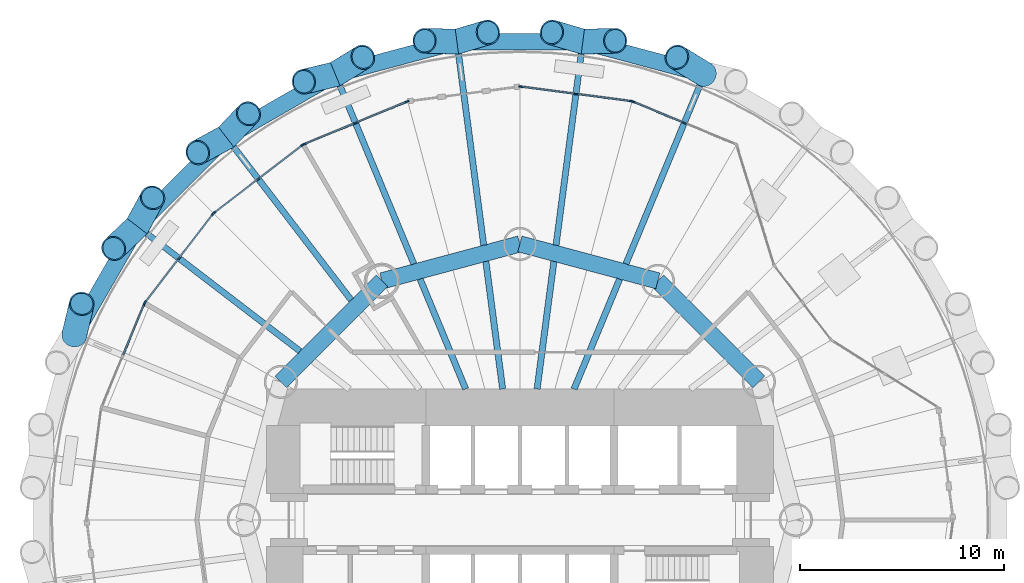
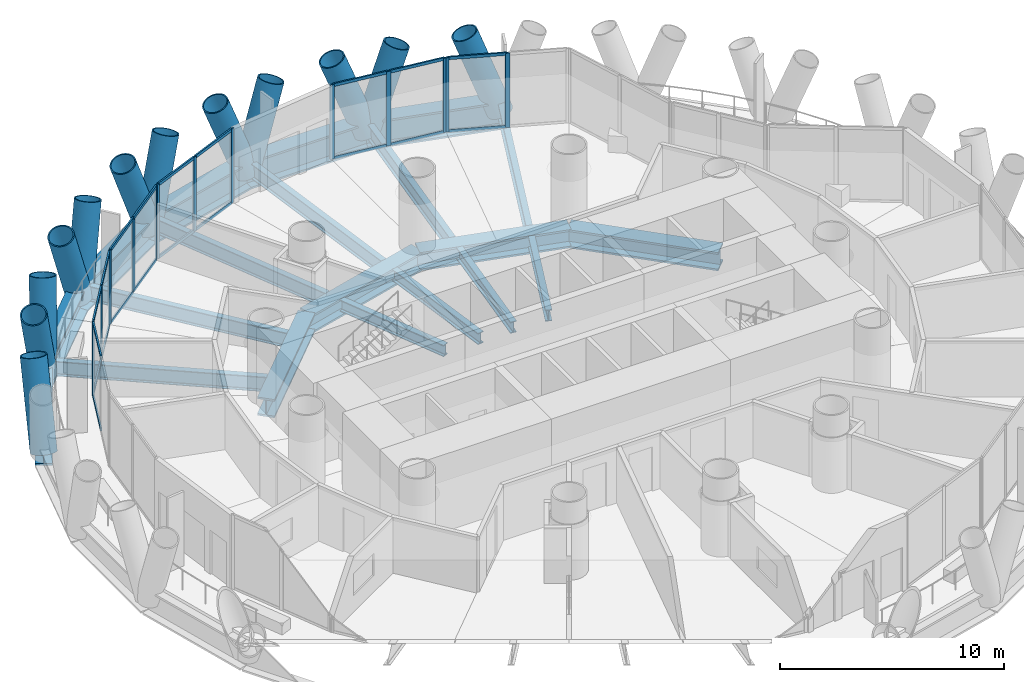
# One storey, part 5 of 15: 47 members, 20 beams, 6 elements without a shape of their own.
"""IFC4 building model written with IfcOpenShell, lengths in metres."""

from ifc_helpers import new_model, si_unit, direction, frame, origin, origin_2d, place, context, subcontext, project, spatial, rectangle, hollow_circle, i_section, extrude, material, material_profile, profile_set, type_object, element, aggregate, save


model = new_model("IFC4")

# Units and contexts
model_context = context("Model", 3, precision=1e-05, world=origin(), true_north=direction((0.0, 1.0)))
body_context = subcontext(model_context, "Body", "Model", "MODEL_VIEW")
ifc_project = project(units=[si_unit("LENGTHUNIT", "METRE"), si_unit("AREAUNIT", "SQUARE_METRE"), si_unit("VOLUMEUNIT", "CUBIC_METRE"), si_unit("PLANEANGLEUNIT", "RADIAN"), si_unit("MASSUNIT", "GRAM", prefix="KILO")], contexts=[model_context])

# Site, building, storey
site_placement = place(None, origin())
site = spatial("IfcSite", under=ifc_project, at=site_placement, CompositionType="ELEMENT")
building_placement = place(site_placement, origin())
building = spatial("IfcBuilding", under=site, at=building_placement, Name="Qaws Media Tower", CompositionType="ELEMENT")
storey_placement = place(building_placement, frame((0.0, 0.0, 34.39990234375)))
storey = spatial("IfcBuildingStorey", under=building, at=storey_placement, Name="L06", CompositionType="ELEMENT", Elevation=34.39990234375)

# Curtain wall, members
ifc_material_1 = material(Name="Aluminium and clear glass", Category="aluminium")
curtain_wall_type = type_object("IfcCurtainWallType", Name="Unitised curtain wall CW-A", PredefinedType="NOTDEFINED", material=ifc_material_1)
curtain_wall_1_placement = place(storey_placement, origin())
curtain_wall_1 = element("IfcCurtainWall", 1, at=curtain_wall_1_placement, inside=storey, type_object=curtain_wall_type, Name="CWA curtain wall L06-05", PredefinedType="NOTDEFINED")
ifc_material_2 = material(Name="Aluminium mullion", Category="aluminium")
ifc_material_profile_1 = material_profile(ifc_material_2, rectangle(XDim=0.080078125, YDim=0.199951171875, at=origin_2d()), Name="80x200")
ifc_profile_set_1 = profile_set([ifc_material_profile_1], Name="Aluminium mullion")
member_type_1 = type_object("IfcMemberType", Name="Curtain wall mullion 80x200", PredefinedType="MULLION", material=ifc_profile_set_1)
member_1_placement = place(storey_placement, frame((68.04345703125, 69.418701171875, 0.0), z_axis=(0.0, 0.0, 1.0), x_axis=(-0.382683454553, -0.923879523321, 0.0)))
member_1 = element("IfcMember", 2, at=member_1_placement, type_object=member_type_1, Name="CWA mullion 2", PredefinedType="MULLION", context=body_context, shape_type="SweptSolid", body=[
    extrude(rectangle(XDim=0.080078125, YDim=0.199951171875, at=origin_2d()), origin(), (0.0, 0.0, 1.0), 4.0400390625),
])
member_2_placement = place(storey_placement, frame((65.52392578125, 70.46240234375, 0.0), z_axis=(0.0, 0.0, 1.0), x_axis=(-0.382683454553, -0.923879523321, 0.0)))
member_2 = element("IfcMember", 3, at=member_2_placement, type_object=member_type_1, Name="CWA mullion 3", PredefinedType="MULLION", context=body_context, shape_type="SweptSolid", body=[
    extrude(rectangle(XDim=0.080078125, YDim=0.199951171875, at=origin_2d()), origin(), (0.0, 0.0, 1.0), 4.0400390625),
])

curtain_wall_2_placement = place(storey_placement, origin())
curtain_wall_2 = element("IfcCurtainWall", 4, at=curtain_wall_2_placement, inside=storey, type_object=curtain_wall_type, Name="CWA curtain wall L06-06", PredefinedType="NOTDEFINED")
member_3_placement = place(storey_placement, frame((65.447265625, 70.48291015625, 0.0), z_axis=(0.0, 0.0, 1.0), x_axis=(-0.130526100786, -0.991444873411, 0.0)))
member_3 = element("IfcMember", 5, at=member_3_placement, type_object=member_type_1, Name="CWA mullion 1", PredefinedType="MULLION", context=body_context, shape_type="SweptSolid", body=[
    extrude(rectangle(XDim=0.080078125, YDim=0.199951171875, at=origin_2d()), origin(), (0.0, 0.0, 1.0), 4.0400390625),
])
member_4_placement = place(storey_placement, frame((62.743408203125, 70.8388671875, 0.0), z_axis=(0.0, 0.0, 1.0), x_axis=(-0.130526100786, -0.991444873411, 0.0)))
member_4 = element("IfcMember", 6, at=member_4_placement, type_object=member_type_1, Name="CWA mullion 2", PredefinedType="MULLION", context=body_context, shape_type="SweptSolid", body=[
    extrude(rectangle(XDim=0.080078125, YDim=0.199951171875, at=origin_2d()), origin(), (0.0, 0.0, 1.0), 4.0400390625),
])
member_5_placement = place(storey_placement, frame((60.03955078125, 71.19482421875, 0.0), z_axis=(0.0, 0.0, 1.0), x_axis=(-0.130526100786, -0.991444873411, 0.0)))
member_5 = element("IfcMember", 7, at=member_5_placement, type_object=member_type_1, Name="CWA mullion 3", PredefinedType="MULLION", context=body_context, shape_type="SweptSolid", body=[
    extrude(rectangle(XDim=0.080078125, YDim=0.199951171875, at=origin_2d()), origin(), (0.0, 0.0, 1.0), 4.0400390625),
])

curtain_wall_3_placement = place(storey_placement, origin())
curtain_wall_3 = element("IfcCurtainWall", 8, at=curtain_wall_3_placement, inside=storey, type_object=curtain_wall_type, Name="CWA curtain wall L06-08", PredefinedType="NOTDEFINED")
member_6_placement = place(storey_placement, frame((54.47607421875, 70.46240234375, 0.0), z_axis=(0.0, 0.0, 1.0), x_axis=(0.382683454553, -0.923879523321, 0.0)))
member_6 = element("IfcMember", 9, at=member_6_placement, type_object=member_type_1, Name="CWA mullion 1", PredefinedType="MULLION", context=body_context, shape_type="SweptSolid", body=[
    extrude(rectangle(XDim=0.080078125, YDim=0.199951171875, at=origin_2d()), origin(), (0.0, 0.0, 1.0), 4.0400390625),
])
member_7_placement = place(storey_placement, frame((51.95654296875, 69.418701171875, 0.0), z_axis=(0.0, 0.0, 1.0), x_axis=(0.382683454553, -0.923879523321, 0.0)))
member_7 = element("IfcMember", 10, at=member_7_placement, type_object=member_type_1, Name="CWA mullion 2", PredefinedType="MULLION", context=body_context, shape_type="SweptSolid", body=[
    extrude(rectangle(XDim=0.080078125, YDim=0.199951171875, at=origin_2d()), origin(), (0.0, 0.0, 1.0), 4.0400390625),
])
member_8_placement = place(storey_placement, frame((49.43701171875, 68.375, 0.0), z_axis=(0.0, 0.0, 1.0), x_axis=(0.382683454553, -0.923879523321, 0.0)))
member_8 = element("IfcMember", 11, at=member_8_placement, type_object=member_type_1, Name="CWA mullion 3", PredefinedType="MULLION", context=body_context, shape_type="SweptSolid", body=[
    extrude(rectangle(XDim=0.080078125, YDim=0.199951171875, at=origin_2d()), origin(), (0.0, 0.0, 1.0), 4.0400390625),
])

curtain_wall_4_placement = place(storey_placement, origin())
curtain_wall_4 = element("IfcCurtainWall", 12, at=curtain_wall_4_placement, inside=storey, type_object=curtain_wall_type, Name="CWA curtain wall L06-09", PredefinedType="NOTDEFINED")
member_9_placement = place(storey_placement, frame((49.3681640625, 68.33544921875, 0.0), z_axis=(0.0, 0.0, 1.0), x_axis=(0.608761431016, -0.793353338751, 0.0)))
member_9 = element("IfcMember", 13, at=member_9_placement, type_object=member_type_1, Name="CWA mullion 1", PredefinedType="MULLION", context=body_context, shape_type="SweptSolid", body=[
    extrude(rectangle(XDim=0.080078125, YDim=0.199951171875, at=origin_2d()), origin(), (0.0, 0.0, 1.0), 4.0400390625),
])
member_10_placement = place(storey_placement, frame((47.20458984375, 66.67529296875, 0.0), z_axis=(0.0, 0.0, 1.0), x_axis=(0.608761431016, -0.793353338751, 0.0)))
member_10 = element("IfcMember", 14, at=member_10_placement, type_object=member_type_1, Name="CWA mullion 2", PredefinedType="MULLION", context=body_context, shape_type="SweptSolid", body=[
    extrude(rectangle(XDim=0.080078125, YDim=0.199951171875, at=origin_2d()), origin(), (0.0, 0.0, 1.0), 4.0400390625),
])
member_11_placement = place(storey_placement, frame((45.041015625, 65.014892578125, 0.0), z_axis=(0.0, 0.0, 1.0), x_axis=(0.608761431016, -0.793353338751, 0.0)))
member_11 = element("IfcMember", 15, at=member_11_placement, type_object=member_type_1, Name="CWA mullion 3", PredefinedType="MULLION", context=body_context, shape_type="SweptSolid", body=[
    extrude(rectangle(XDim=0.080078125, YDim=0.199951171875, at=origin_2d()), origin(), (0.0, 0.0, 1.0), 4.0400390625),
])

curtain_wall_5_placement = place(storey_placement, origin())
curtain_wall_5 = element("IfcCurtainWall", 16, at=curtain_wall_5_placement, inside=storey, type_object=curtain_wall_type, Name="CWA curtain wall L06-10", PredefinedType="NOTDEFINED")
member_12_placement = place(storey_placement, frame((44.985107421875, 64.958984375, 0.0), z_axis=(0.0, 0.0, 1.0), x_axis=(0.793353338751, -0.608761431016, 0.0)))
member_12 = element("IfcMember", 17, at=member_12_placement, type_object=member_type_1, Name="CWA mullion 1", PredefinedType="MULLION", context=body_context, shape_type="SweptSolid", body=[
    extrude(rectangle(XDim=0.080078125, YDim=0.199951171875, at=origin_2d()), origin(), (0.0, 0.0, 1.0), 4.0400390625),
])
member_13_placement = place(storey_placement, frame((43.32470703125, 62.79541015625, 0.0), z_axis=(0.0, 0.0, 1.0), x_axis=(0.793353338751, -0.608761431016, 0.0)))
member_13 = element("IfcMember", 18, at=member_13_placement, type_object=member_type_1, Name="CWA mullion 2", PredefinedType="MULLION", context=body_context, shape_type="SweptSolid", body=[
    extrude(rectangle(XDim=0.080078125, YDim=0.199951171875, at=origin_2d()), origin(), (0.0, 0.0, 1.0), 4.0400390625),
])
member_14_placement = place(storey_placement, frame((41.66455078125, 60.6318359375, 0.0), z_axis=(0.0, 0.0, 1.0), x_axis=(0.793353338751, -0.608761431016, 0.0)))
member_14 = element("IfcMember", 19, at=member_14_placement, type_object=member_type_1, Name="CWA mullion 3", PredefinedType="MULLION", context=body_context, shape_type="SweptSolid", body=[
    extrude(rectangle(XDim=0.080078125, YDim=0.199951171875, at=origin_2d()), origin(), (0.0, 0.0, 1.0), 4.0400390625),
])

# Curtain wall, member
curtain_wall_6_placement = place(storey_placement, origin())
curtain_wall_6 = element("IfcCurtainWall", 20, at=curtain_wall_6_placement, inside=storey, type_object=curtain_wall_type, Name="CWA curtain wall L06-11", PredefinedType="NOTDEFINED")
member_15_placement = place(storey_placement, frame((41.625, 60.56298828125, 0.0), z_axis=(0.0, 0.0, 1.0), x_axis=(0.923879523321, -0.382683454553, 0.0)))
member_15 = element("IfcMember", 21, at=member_15_placement, type_object=member_type_1, Name="CWA mullion 1", PredefinedType="MULLION", context=body_context, shape_type="SweptSolid", body=[
    extrude(rectangle(XDim=0.080078125, YDim=0.199951171875, at=origin_2d()), origin(), (0.0, 0.0, 1.0), 4.0400390625),
])

# Member
ifc_material_3 = material(Name="Aluminium transom", Category="aluminium")
ifc_material_profile_2 = material_profile(ifc_material_3, rectangle(XDim=0.080078125, YDim=0.159912109375, at=origin_2d()), Name="80x160")
ifc_profile_set_2 = profile_set([ifc_material_profile_2], Name="Aluminium transom")
member_type_2 = type_object("IfcMemberType", Name="Curtain wall transom 80x160", PredefinedType="USERDEFINED", material=ifc_profile_set_2)
member_16_placement = place(storey_placement, frame((68.006591796875, 69.43408203125, 0.0400390625), z_axis=(-0.923898816777, 0.38263687271, 0.0), x_axis=(-0.38263687271, -0.923898816777, 0.0)))
member_16 = element("IfcMember", 22, at=member_16_placement, type_object=member_type_2, Name="CWA transom 2.1", ObjectType="TRANSOM", PredefinedType="USERDEFINED", context=body_context, shape_type="SweptSolid", body=[
    extrude(rectangle(XDim=0.080078125, YDim=0.159912109375, at=origin_2d()), origin(), (0.0, 0.0, 1.0), 2.647216796875),
])

member_17_placement = place(storey_placement, frame((68.006591796875, 69.43408203125, 4.0), z_axis=(-0.923898816777, 0.38263687271, 0.0), x_axis=(-0.38263687271, -0.923898816777, 0.0)))
member_17 = element("IfcMember", 23, at=member_17_placement, type_object=member_type_2, Name="CWA transom 2.2", ObjectType="TRANSOM", PredefinedType="USERDEFINED", context=body_context, shape_type="SweptSolid", body=[
    extrude(rectangle(XDim=0.080078125, YDim=0.159912109375, at=origin_2d()), origin(), (0.0, 0.0, 1.0), 2.647216796875),
])

aggregate(curtain_wall_1, [member_1, member_2, member_16, member_17])

member_18_placement = place(storey_placement, frame((65.40771484375, 70.488037109375, 0.0400390625), z_axis=(-0.991448016129, 0.130502227239, 0.0), x_axis=(-0.130502227239, -0.991448016129, 0.0)))
member_18 = element("IfcMember", 24, at=member_18_placement, type_object=member_type_2, Name="CWA transom 1.1", ObjectType="TRANSOM", PredefinedType="USERDEFINED", context=body_context, shape_type="SweptSolid", body=[
    extrude(rectangle(XDim=0.080078125, YDim=0.159912109375, at=origin_2d()), origin(), (0.0, 0.0, 1.0), 2.647216796875),
])

member_19_placement = place(storey_placement, frame((65.40771484375, 70.488037109375, 4.0), z_axis=(-0.991448016129, 0.130502227239, 0.0), x_axis=(-0.130502227239, -0.991448016129, 0.0)))
member_19 = element("IfcMember", 25, at=member_19_placement, type_object=member_type_2, Name="CWA transom 1.2", ObjectType="TRANSOM", PredefinedType="USERDEFINED", context=body_context, shape_type="SweptSolid", body=[
    extrude(rectangle(XDim=0.080078125, YDim=0.159912109375, at=origin_2d()), origin(), (0.0, 0.0, 1.0), 2.647216796875),
])

member_20_placement = place(storey_placement, frame((62.703857421875, 70.843994140625, 0.0400390625), z_axis=(-0.991448016129, 0.130502227239, 0.0), x_axis=(-0.130502227239, -0.991448016129, 0.0)))
member_20 = element("IfcMember", 26, at=member_20_placement, type_object=member_type_2, Name="CWA transom 2.1", ObjectType="TRANSOM", PredefinedType="USERDEFINED", context=body_context, shape_type="SweptSolid", body=[
    extrude(rectangle(XDim=0.080078125, YDim=0.159912109375, at=origin_2d()), origin(), (0.0, 0.0, 1.0), 2.647216796875),
])

member_21_placement = place(storey_placement, frame((62.703857421875, 70.843994140625, 4.0), z_axis=(-0.991448016129, 0.130502227239, 0.0), x_axis=(-0.130502227239, -0.991448016129, 0.0)))
member_21 = element("IfcMember", 27, at=member_21_placement, type_object=member_type_2, Name="CWA transom 2.2", ObjectType="TRANSOM", PredefinedType="USERDEFINED", context=body_context, shape_type="SweptSolid", body=[
    extrude(rectangle(XDim=0.080078125, YDim=0.159912109375, at=origin_2d()), origin(), (0.0, 0.0, 1.0), 2.647216796875),
])

aggregate(curtain_wall_2, [member_3, member_4, member_5, member_18, member_19, member_20, member_21])

member_22_placement = place(storey_placement, frame((54.439208984375, 70.447021484375, 0.0400390625), z_axis=(-0.923898816777, -0.38263687271, 0.0), x_axis=(0.38263687271, -0.923898816777, 0.0)))
member_22 = element("IfcMember", 28, at=member_22_placement, type_object=member_type_2, Name="CWA transom 1.1", ObjectType="TRANSOM", PredefinedType="USERDEFINED", context=body_context, shape_type="SweptSolid", body=[
    extrude(rectangle(XDim=0.080078125, YDim=0.159912109375, at=origin_2d()), origin(), (0.0, 0.0, 1.0), 2.647216796875),
])

member_23_placement = place(storey_placement, frame((54.439208984375, 70.447021484375, 4.0), z_axis=(-0.923898816777, -0.38263687271, 0.0), x_axis=(0.38263687271, -0.923898816777, 0.0)))
member_23 = element("IfcMember", 29, at=member_23_placement, type_object=member_type_2, Name="CWA transom 1.2", ObjectType="TRANSOM", PredefinedType="USERDEFINED", context=body_context, shape_type="SweptSolid", body=[
    extrude(rectangle(XDim=0.080078125, YDim=0.159912109375, at=origin_2d()), origin(), (0.0, 0.0, 1.0), 2.647216796875),
])

member_24_placement = place(storey_placement, frame((51.919677734375, 69.4033203125, 0.0400390625), z_axis=(-0.923898816777, -0.38263687271, 0.0), x_axis=(0.38263687271, -0.923898816777, 0.0)))
member_24 = element("IfcMember", 30, at=member_24_placement, type_object=member_type_2, Name="CWA transom 2.1", ObjectType="TRANSOM", PredefinedType="USERDEFINED", context=body_context, shape_type="SweptSolid", body=[
    extrude(rectangle(XDim=0.080078125, YDim=0.159912109375, at=origin_2d()), origin(), (0.0, 0.0, 1.0), 2.647216796875),
])

member_25_placement = place(storey_placement, frame((51.919677734375, 69.4033203125, 4.0), z_axis=(-0.923898816777, -0.38263687271, 0.0), x_axis=(0.38263687271, -0.923898816777, 0.0)))
member_25 = element("IfcMember", 31, at=member_25_placement, type_object=member_type_2, Name="CWA transom 2.2", ObjectType="TRANSOM", PredefinedType="USERDEFINED", context=body_context, shape_type="SweptSolid", body=[
    extrude(rectangle(XDim=0.080078125, YDim=0.159912109375, at=origin_2d()), origin(), (0.0, 0.0, 1.0), 2.647216796875),
])

aggregate(curtain_wall_3, [member_6, member_7, member_8, member_22, member_23, member_24, member_25])

member_26_placement = place(storey_placement, frame((49.33642578125, 68.31103515625, 0.0400390625), z_axis=(-0.793333151209, -0.608787739029, 0.0), x_axis=(0.608787739029, -0.793333151209, 0.0)))
member_26 = element("IfcMember", 32, at=member_26_placement, type_object=member_type_2, Name="CWA transom 1.1", ObjectType="TRANSOM", PredefinedType="USERDEFINED", context=body_context, shape_type="SweptSolid", body=[
    extrude(rectangle(XDim=0.080078125, YDim=0.159912109375, at=origin_2d()), origin(), (0.0, 0.0, 1.0), 2.647216796875),
])

member_27_placement = place(storey_placement, frame((49.33642578125, 68.31103515625, 4.0), z_axis=(-0.793333151209, -0.608787739029, 0.0), x_axis=(0.608787739029, -0.793333151209, 0.0)))
member_27 = element("IfcMember", 33, at=member_27_placement, type_object=member_type_2, Name="CWA transom 1.2", ObjectType="TRANSOM", PredefinedType="USERDEFINED", context=body_context, shape_type="SweptSolid", body=[
    extrude(rectangle(XDim=0.080078125, YDim=0.159912109375, at=origin_2d()), origin(), (0.0, 0.0, 1.0), 2.647216796875),
])

member_28_placement = place(storey_placement, frame((47.1728515625, 66.65087890625, 0.0400390625), z_axis=(-0.793333151209, -0.608787739029, 0.0), x_axis=(0.608787739029, -0.793333151209, 0.0)))
member_28 = element("IfcMember", 34, at=member_28_placement, type_object=member_type_2, Name="CWA transom 2.1", ObjectType="TRANSOM", PredefinedType="USERDEFINED", context=body_context, shape_type="SweptSolid", body=[
    extrude(rectangle(XDim=0.080078125, YDim=0.159912109375, at=origin_2d()), origin(), (0.0, 0.0, 1.0), 2.647216796875),
])

member_29_placement = place(storey_placement, frame((47.1728515625, 66.65087890625, 4.0), z_axis=(-0.793333151209, -0.608787739029, 0.0), x_axis=(0.608787739029, -0.793333151209, 0.0)))
member_29 = element("IfcMember", 35, at=member_29_placement, type_object=member_type_2, Name="CWA transom 2.2", ObjectType="TRANSOM", PredefinedType="USERDEFINED", context=body_context, shape_type="SweptSolid", body=[
    extrude(rectangle(XDim=0.080078125, YDim=0.159912109375, at=origin_2d()), origin(), (0.0, 0.0, 1.0), 2.647216796875),
])

aggregate(curtain_wall_4, [member_9, member_10, member_11, member_26, member_27, member_28, member_29])

member_30_placement = place(storey_placement, frame((44.960693359375, 64.92724609375, 0.0400390625), z_axis=(-0.608787739029, -0.793333151209, 0.0), x_axis=(0.793333151209, -0.608787739029, 0.0)))
member_30 = element("IfcMember", 36, at=member_30_placement, type_object=member_type_2, Name="CWA transom 1.1", ObjectType="TRANSOM", PredefinedType="USERDEFINED", context=body_context, shape_type="SweptSolid", body=[
    extrude(rectangle(XDim=0.080078125, YDim=0.159912109375, at=origin_2d()), origin(), (0.0, 0.0, 1.0), 2.647216796875),
])

member_31_placement = place(storey_placement, frame((44.960693359375, 64.92724609375, 4.0), z_axis=(-0.608787739029, -0.793333151209, 0.0), x_axis=(0.793333151209, -0.608787739029, 0.0)))
member_31 = element("IfcMember", 37, at=member_31_placement, type_object=member_type_2, Name="CWA transom 1.2", ObjectType="TRANSOM", PredefinedType="USERDEFINED", context=body_context, shape_type="SweptSolid", body=[
    extrude(rectangle(XDim=0.080078125, YDim=0.159912109375, at=origin_2d()), origin(), (0.0, 0.0, 1.0), 2.647216796875),
])

member_32_placement = place(storey_placement, frame((43.300537109375, 62.763671875, 0.0400390625), z_axis=(-0.608787739029, -0.793333151209, 0.0), x_axis=(0.793333151209, -0.608787739029, 0.0)))
member_32 = element("IfcMember", 38, at=member_32_placement, type_object=member_type_2, Name="CWA transom 2.1", ObjectType="TRANSOM", PredefinedType="USERDEFINED", context=body_context, shape_type="SweptSolid", body=[
    extrude(rectangle(XDim=0.080078125, YDim=0.159912109375, at=origin_2d()), origin(), (0.0, 0.0, 1.0), 2.647216796875),
])

member_33_placement = place(storey_placement, frame((43.300537109375, 62.763671875, 4.0), z_axis=(-0.608787739029, -0.793333151209, 0.0), x_axis=(0.793333151209, -0.608787739029, 0.0)))
member_33 = element("IfcMember", 39, at=member_33_placement, type_object=member_type_2, Name="CWA transom 2.2", ObjectType="TRANSOM", PredefinedType="USERDEFINED", context=body_context, shape_type="SweptSolid", body=[
    extrude(rectangle(XDim=0.080078125, YDim=0.159912109375, at=origin_2d()), origin(), (0.0, 0.0, 1.0), 2.647216796875),
])

aggregate(curtain_wall_5, [member_12, member_13, member_14, member_30, member_31, member_32, member_33])

member_34_placement = place(storey_placement, frame((41.609619140625, 60.526123046875, 0.0400390625), z_axis=(-0.38263687271, -0.923898816777, 0.0), x_axis=(0.923898816777, -0.38263687271, 0.0)))
member_34 = element("IfcMember", 40, at=member_34_placement, type_object=member_type_2, Name="CWA transom 1.1", ObjectType="TRANSOM", PredefinedType="USERDEFINED", context=body_context, shape_type="SweptSolid", body=[
    extrude(rectangle(XDim=0.080078125, YDim=0.159912109375, at=origin_2d()), origin(), (0.0, 0.0, 1.0), 2.647216796875),
])

member_35_placement = place(storey_placement, frame((41.609619140625, 60.526123046875, 4.0), z_axis=(-0.38263687271, -0.923898816777, 0.0), x_axis=(0.923898816777, -0.38263687271, 0.0)))
member_35 = element("IfcMember", 41, at=member_35_placement, type_object=member_type_2, Name="CWA transom 1.2", ObjectType="TRANSOM", PredefinedType="USERDEFINED", context=body_context, shape_type="SweptSolid", body=[
    extrude(rectangle(XDim=0.080078125, YDim=0.159912109375, at=origin_2d()), origin(), (0.0, 0.0, 1.0), 2.647216796875),
])

aggregate(curtain_wall_6, [member_15, member_34, member_35])

# Members
ifc_material_4 = material(Name="Steel S460", Category="steel")
ifc_material_profile_3 = material_profile(ifc_material_4, hollow_circle(Radius=0.609619140625, WallThickness=0.06005859375, at=origin_2d()), Name="CHS 1219x60")
ifc_profile_set_3 = profile_set([ifc_material_profile_3], Name="Steel S460")
member_type_3 = type_object("IfcMemberType", Name="Diagrid member CHS 1219x60", PredefinedType="USERDEFINED", material=ifc_profile_set_3)
for number, where, z_axis, x_axis, name in (
    (42, (69.03125, 71.803466796875, -0.909912109375), (-0.300531719733, 0.184507437707, 0.935755144717), (-0.523202112796, -0.85220863007, 0.0), "DG1 diagrid L06 A05"),
    (43, (63.080322265625, 73.398193359375, -0.909912109375), (-0.338014682134, 0.100414403479, 0.935768679876), (-0.284771064852, -0.958595556334, 0.0), "DG1 diagrid L06 A06"),
    (44, (63.080322265625, 73.398193359375, -0.909912109375), (0.352532001786, 0.009464676487, 0.935751894263), (-0.026838038008, 0.999639794984, 0.0), "DG1 diagrid L06 B06"),
    (45, (56.919677734375, 73.398193359375, -0.909912109375), (-0.352532001786, 0.009464676487, 0.935751894263), (-0.026838038008, -0.999639794984, 0.0), "DG1 diagrid L06 A07"),
    (46, (56.919677734375, 73.398193359375, -0.909912109375), (0.338014682134, 0.100414403479, 0.935768679876), (-0.284771064852, 0.958595556334, 0.0), "DG1 diagrid L06 B07"),
    (47, (50.96875, 71.803466796875, -0.909912109375), (-0.343009853976, -0.082026460481, 0.935743501103), (0.232579556178, -0.972577374839, 0.0), "DG1 diagrid L06 A08"),
    (48, (50.96875, 71.803466796875, -0.909912109375), (0.300531719733, 0.184507437707, 0.935755144717), (-0.523202112796, 0.85220863007, 0.0), "DG1 diagrid L06 B08"),
    (49, (45.63330078125, 68.72314453125, -0.909912109375), (-0.310050534086, -0.168025631543, 0.935754269805), (0.476462021182, -0.879195053655, 0.0), "DG1 diagrid L06 A09"),
    (50, (45.63330078125, 68.72314453125, -0.909912109375), (0.24254755553, 0.255983134408, 0.935758151557), (-0.725899989111, 0.687800265926, 0.0), "DG1 diagrid L06 B09"),
    (51, (41.27685546875, 64.36669921875, -0.909912109375), (-0.255983134408, -0.24254755553, 0.935758151557), (0.687800265926, -0.725899989111, 0.0), "DG1 diagrid L06 A10"),
    (52, (41.27685546875, 64.36669921875, -0.909912109375), (0.168025631543, 0.310050534086, 0.935754269805), (-0.879195053655, 0.476462021182, 0.0), "DG1 diagrid L06 B10"),
    (53, (38.196533203125, 59.03125, -0.909912109375), (0.082026460481, 0.343009853976, 0.935743501103), (-0.972577374839, 0.232579556178, 0.0), "DG1 diagrid L06 B11"),
):
    element("IfcMember", number, at=place(storey_placement, frame(where, z_axis=z_axis, x_axis=x_axis)), inside=storey, type_object=member_type_3, Name=name, ObjectType="DIAGRID", PredefinedType="USERDEFINED", context=body_context, shape_type="SweptSolid", body=[
        extrude(hollow_circle(Radius=0.609619140625, WallThickness=0.06005859375, at=origin_2d()), origin(), (0.0, 0.0, 1.0), 4.48828125),
    ])

# Beams
ifc_material_5 = material(Name="Steel S460", Category="steel")
ifc_material_profile_4 = material_profile(ifc_material_5, i_section(OverallWidth=0.800048828125, OverallDepth=1.5, WebThickness=0.0400390625, FlangeThickness=0.10009765625, at=origin_2d()), Name="PG 1500x800")
ifc_profile_set_4 = profile_set([ifc_material_profile_4], Name="Steel S460")
beam_type_1 = type_object("IfcBeamType", Name="Edge ring beam PG 1500x800", PredefinedType="BEAM", material=ifc_profile_set_4)
beam_1_placement = place(storey_placement, frame((69.03125, 71.803466796875, -0.909912109375), z_axis=(-0.965918510339, 0.258846347058, 0.0), x_axis=(-0.258846347058, -0.965918510339, 0.0)))
element("IfcBeam", 54, at=beam_1_placement, inside=storey, type_object=beam_type_1, Name="RB7 edge ring beam L06-05", PredefinedType="BEAM", context=body_context, shape_type="SweptSolid", body=[
    extrude(i_section(OverallWidth=0.800048828125, OverallDepth=1.5, WebThickness=0.0400390625, FlangeThickness=0.10009765625, at=origin_2d()), origin(), (0.0, 0.0, 1.0), 6.160888671875),
])
beam_2_placement = place(storey_placement, frame((63.080322265625, 73.398193359375, -0.909912109375), z_axis=(-1.0, 0.0, 0.0), x_axis=(0.0, -1.0, 0.0)))
element("IfcBeam", 55, at=beam_2_placement, inside=storey, type_object=beam_type_1, Name="RB7 edge ring beam L06-06", PredefinedType="BEAM", context=body_context, shape_type="SweptSolid", body=[
    extrude(i_section(OverallWidth=0.800048828125, OverallDepth=1.5, WebThickness=0.0400390625, FlangeThickness=0.10009765625, at=origin_2d()), origin(), (0.0, 0.0, 1.0), 6.16064453125),
])
for number, where, z_axis, x_axis, name in (
    (56, (56.919677734375, 73.398193359375, -0.909912109375), (-0.965918510339, -0.258846347058, 0.0), (0.258846347058, -0.965918510339, 0.0), "RB7 edge ring beam L06-07"),
    (57, (50.96875, 71.803466796875, -0.909912109375), (-0.866032486833, -0.499987731599, 0.0), (0.499987731599, -0.866032486833, 0.0), "RB7 edge ring beam L06-08"),
    (58, (45.63330078125, 68.72314453125, -0.909912109375), (-0.707106781187, -0.707106781187, 0.0), (0.707106781187, -0.707106781187, 0.0), "RB7 edge ring beam L06-09"),
    (59, (41.27685546875, 64.36669921875, -0.909912109375), (-0.499987731599, -0.866032486833, 0.0), (0.866032486833, -0.499987731599, 0.0), "RB7 edge ring beam L06-10"),
):
    element("IfcBeam", number, at=place(storey_placement, frame(where, z_axis=z_axis, x_axis=x_axis)), inside=storey, type_object=beam_type_1, Name=name, PredefinedType="BEAM", context=body_context, shape_type="SweptSolid", body=[
        extrude(i_section(OverallWidth=0.800048828125, OverallDepth=1.5, WebThickness=0.0400390625, FlangeThickness=0.10009765625, at=origin_2d()), origin(), (0.0, 0.0, 1.0), 6.160888671875),
    ])
ifc_material_6 = material(Name="Steel S460", Category="steel")
ifc_material_profile_5 = material_profile(ifc_material_6, i_section(OverallWidth=0.800048828125, OverallDepth=1.0, WebThickness=0.0400390625, FlangeThickness=0.10009765625, at=origin_2d()), Name="PG 1000x800")
ifc_profile_set_5 = profile_set([ifc_material_profile_5], Name="Steel S460")
beam_type_2 = type_object("IfcBeamType", Name="Inner ring girder PG 1000x800", PredefinedType="BEAM", material=ifc_profile_set_5)
beam_3_placement = place(storey_placement, frame((71.69140625, 56.75, -0.659912109375), z_axis=(-0.707106781187, 0.707106781187, 0.0), x_axis=(-0.707106781187, -0.707106781187, 0.0)))
element("IfcBeam", 60, at=beam_3_placement, inside=storey, type_object=beam_type_2, Name="B3 inner ring beam L06 I02-I03", PredefinedType="BEAM", context=body_context, shape_type="SweptSolid", body=[
    extrude(i_section(OverallWidth=0.800048828125, OverallDepth=1.0, WebThickness=0.0400390625, FlangeThickness=0.10009765625, at=origin_2d()), origin(), (0.0, 0.0, 1.0), 6.98828125),
])
for number, where, z_axis, x_axis, name in (
    (61, (66.75, 61.69140625, -0.659912109375), (-0.965928090778, 0.258810593767, 0.0), (-0.258810593767, -0.965928090778, 0.0), "B3 inner ring beam L06 I03-I04"),
    (62, (60.0, 63.5, -0.659912109375), (-0.965928090778, -0.258810593767, 0.0), (0.258810593767, -0.965928090778, 0.0), "B3 inner ring beam L06 I04-I05"),
):
    element("IfcBeam", number, at=place(storey_placement, frame(where, z_axis=z_axis, x_axis=x_axis)), inside=storey, type_object=beam_type_2, Name=name, PredefinedType="BEAM", context=body_context, shape_type="SweptSolid", body=[
        extrude(i_section(OverallWidth=0.800048828125, OverallDepth=1.0, WebThickness=0.0400390625, FlangeThickness=0.10009765625, at=origin_2d()), origin(), (0.0, 0.0, 1.0), 6.988037109375),
    ])
beam_4_placement = place(storey_placement, frame((53.25, 61.69140625, -0.659912109375), z_axis=(-0.707106781187, -0.707106781187, 0.0), x_axis=(0.707106781187, -0.707106781187, 0.0)))
element("IfcBeam", 63, at=beam_4_placement, inside=storey, type_object=beam_type_2, Name="B3 inner ring beam L06 I05-I06", PredefinedType="BEAM", context=body_context, shape_type="SweptSolid", body=[
    extrude(i_section(OverallWidth=0.800048828125, OverallDepth=1.0, WebThickness=0.0400390625, FlangeThickness=0.10009765625, at=origin_2d()), origin(), (0.0, 0.0, 1.0), 6.98828125),
])
ifc_material_7 = material(Name="Steel S355", Category="steel")
ifc_material_profile_6 = material_profile(ifc_material_7, i_section(OverallWidth=0.304931640625, OverallDepth=0.6201171875, WebThickness=0.02099609375, FlangeThickness=0.0400390625, FilletRadius=0.027099609375, at=origin_2d()), Name="HE 600 M")
ifc_profile_set_6 = profile_set([ifc_material_profile_6], Name="Steel S355")
beam_type_3 = type_object("IfcBeamType", Name="Radial beam HE 600 M, core side", PredefinedType="BEAM", material=ifc_profile_set_6)
beam_5_placement = place(storey_placement, frame((62.65087890625, 56.39990234375, -0.469970703125), z_axis=(0.38269993354, 0.923872697328, 0.0), x_axis=(-0.923872697328, 0.38269993354, 0.0)))
element("IfcBeam", 64, at=beam_5_placement, inside=storey, type_object=beam_type_3, Name="B2 radial beam L06 05", PredefinedType="BEAM", context=body_context, shape_type="SweptSolid", body=[
    extrude(i_section(OverallWidth=0.304931640625, OverallDepth=0.6201171875, WebThickness=0.02099609375, FlangeThickness=0.0400390625, FilletRadius=0.027099609375, at=origin_2d()), origin(), (0.0, 0.0, 1.0), 5.82177734375),
])
for number, where, z_axis, x_axis, name in (
    (65, (60.842529296875, 56.39990234375, -0.469970703125), (0.130529769311, 0.991444390434, 0.0), (-0.991444390434, 0.130529769311, 0.0), "B2 radial beam L06 06"),
    (66, (59.157470703125, 56.39990234375, -0.469970703125), (-0.130529769311, 0.991444390434, 0.0), (-0.991444390434, -0.130529769311, 0.0), "B2 radial beam L06 07"),
):
    element("IfcBeam", number, at=place(storey_placement, frame(where, z_axis=z_axis, x_axis=x_axis)), inside=storey, type_object=beam_type_3, Name=name, PredefinedType="BEAM", context=body_context, shape_type="SweptSolid", body=[
        extrude(i_section(OverallWidth=0.304931640625, OverallDepth=0.6201171875, WebThickness=0.02099609375, FlangeThickness=0.0400390625, FilletRadius=0.027099609375, at=origin_2d()), origin(), (0.0, 0.0, 1.0), 6.2939453125),
    ])
beam_6_placement = place(storey_placement, frame((57.34912109375, 56.39990234375, -0.469970703125), z_axis=(-0.38269993354, 0.923872697328, 0.0), x_axis=(-0.923872697328, -0.38269993354, 0.0)))
element("IfcBeam", 67, at=beam_6_placement, inside=storey, type_object=beam_type_3, Name="B2 radial beam L06 08", PredefinedType="BEAM", context=body_context, shape_type="SweptSolid", body=[
    extrude(i_section(OverallWidth=0.304931640625, OverallDepth=0.6201171875, WebThickness=0.02099609375, FlangeThickness=0.0400390625, FilletRadius=0.027099609375, at=origin_2d()), origin(), (0.0, 0.0, 1.0), 5.82177734375),
])
ifc_material_8 = material(Name="Steel S355", Category="steel")
ifc_material_profile_7 = material_profile(ifc_material_8, i_section(OverallWidth=0.300048828125, OverallDepth=0.800048828125, WebThickness=0.017578125, FlangeThickness=0.032958984375, FilletRadius=0.030029296875, at=origin_2d()), Name="HE 800 B")
ifc_profile_set_7 = profile_set([ifc_material_profile_7], Name="Steel S355")
beam_type_4 = type_object("IfcBeamType", Name="Radial beam HE 800 B", PredefinedType="BEAM", material=ifc_profile_set_7)
beam_7_placement = place(storey_placement, frame((65.187744140625, 62.524169921875, -0.559814453125), z_axis=(0.382674529894, 0.923883219985, 0.0), x_axis=(-0.923883219985, 0.382674529894, 0.0)))
element("IfcBeam", 68, at=beam_7_placement, inside=storey, type_object=beam_type_4, Name="B1 radial beam L06 05", PredefinedType="BEAM", context=body_context, shape_type="SweptSolid", body=[
    extrude(i_section(OverallWidth=0.300048828125, OverallDepth=0.800048828125, WebThickness=0.017578125, FlangeThickness=0.032958984375, FilletRadius=0.030029296875, at=origin_2d()), origin(), (0.0, 0.0, 1.0), 10.043701171875),
])
for number, where, z_axis, x_axis, name in (
    (69, (61.769287109375, 63.43994140625, -0.559814453125), (0.130526820019, 0.991444778722, 0.0), (-0.991444778722, 0.130526820019, 0.0), "B1 radial beam L06 06"),
    (70, (58.230712890625, 63.43994140625, -0.559814453125), (-0.130526820019, 0.991444778722, 0.0), (-0.991444778722, -0.130526820019, 0.0), "B1 radial beam L06 07"),
):
    element("IfcBeam", number, at=place(storey_placement, frame(where, z_axis=z_axis, x_axis=x_axis)), inside=storey, type_object=beam_type_4, Name=name, PredefinedType="BEAM", context=body_context, shape_type="SweptSolid", body=[
        extrude(i_section(OverallWidth=0.300048828125, OverallDepth=0.800048828125, WebThickness=0.017578125, FlangeThickness=0.032958984375, FilletRadius=0.030029296875, at=origin_2d()), origin(), (0.0, 0.0, 1.0), 10.044189453125),
    ])
beam_8_placement = place(storey_placement, frame((54.812255859375, 62.524169921875, -0.559814453125), z_axis=(-0.382674529894, 0.923883219985, 0.0), x_axis=(-0.923883219985, -0.382674529894, 0.0)))
element("IfcBeam", 71, at=beam_8_placement, inside=storey, type_object=beam_type_4, Name="B1 radial beam L06 08", PredefinedType="BEAM", context=body_context, shape_type="SweptSolid", body=[
    extrude(i_section(OverallWidth=0.300048828125, OverallDepth=0.800048828125, WebThickness=0.017578125, FlangeThickness=0.032958984375, FilletRadius=0.030029296875, at=origin_2d()), origin(), (0.0, 0.0, 1.0), 10.043701171875),
])
for number, where, z_axis, x_axis, name in (
    (72, (51.74755859375, 60.754638671875, -0.559814453125), (-0.608749410505, 0.793362562269, 0.0), (-0.793362562269, -0.608749410505, 0.0), "B1 radial beam L06 09"),
    (73, (49.245361328125, 58.25244140625, -0.559814453125), (-0.793362562269, 0.608749410505, 0.0), (-0.608749410505, -0.793362562269, 0.0), "B1 radial beam L06 10"),
):
    element("IfcBeam", number, at=place(storey_placement, frame(where, z_axis=z_axis, x_axis=x_axis)), inside=storey, type_object=beam_type_4, Name=name, PredefinedType="BEAM", context=body_context, shape_type="SweptSolid", body=[
        extrude(i_section(OverallWidth=0.300048828125, OverallDepth=0.800048828125, WebThickness=0.017578125, FlangeThickness=0.032958984375, FilletRadius=0.030029296875, at=origin_2d()), origin(), (0.0, 0.0, 1.0), 10.0439453125),
    ])

save(model, "model.ifc")
